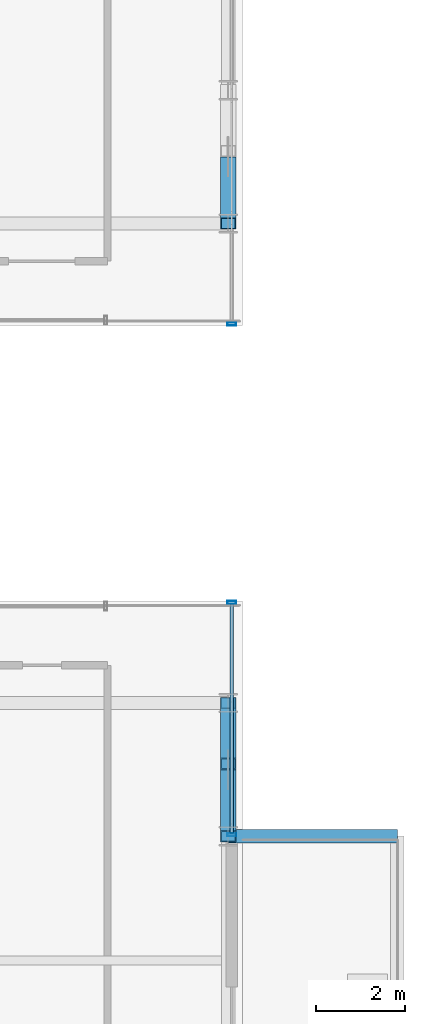
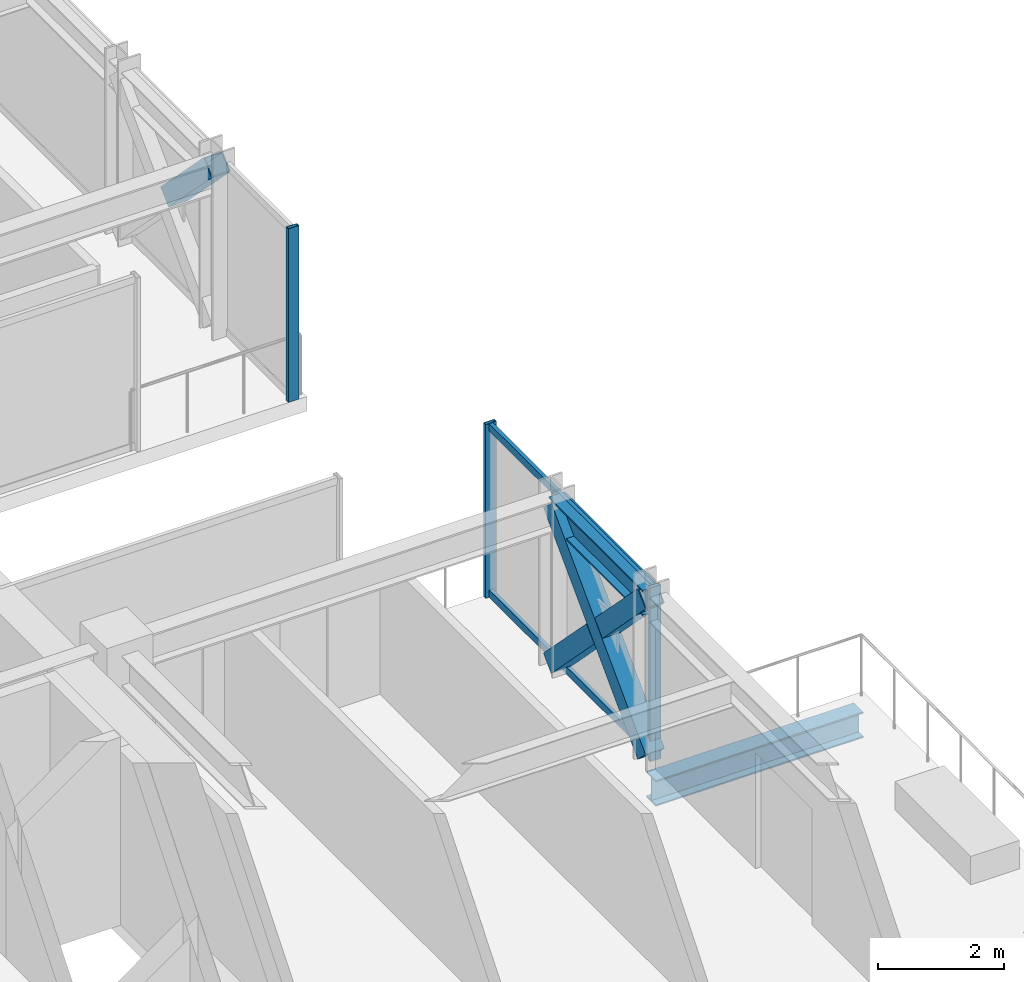
# One storey, part 22 of 41: 9 members, 2 beams, 2 elements without a shape of their own.
"""IFC4 building model written with IfcOpenShell, lengths in metres."""

from ifc_helpers import new_model, si_unit, direction, frame, origin, origin_2d, place, context, subcontext, project, spatial, hollow_rectangle, i_section, extrude, source, transform, mapped, material, material_profile, profile_set, type_object, element, aggregate, save


model = new_model("IFC4")

# Units and contexts
model_context = context("Model", 3, precision=1e-05, world=origin(), true_north=direction((0.0, 1.0)))
body_context = subcontext(model_context, "Body", "Model", "MODEL_VIEW")
ifc_project = project(units=[si_unit("LENGTHUNIT", "METRE"), si_unit("AREAUNIT", "SQUARE_METRE"), si_unit("VOLUMEUNIT", "CUBIC_METRE"), si_unit("PLANEANGLEUNIT", "RADIAN"), si_unit("MASSUNIT", "GRAM", prefix="KILO")], contexts=[model_context])

# Site, building, storey
site_placement = place(None, origin())
site = spatial("IfcSite", under=ifc_project, at=site_placement, CompositionType="ELEMENT")
building_placement = place(site_placement, origin())
building = spatial("IfcBuilding", under=site, at=building_placement, Name="Nahalor Promenade Grand Hotel", CompositionType="ELEMENT")
storey_placement = place(building_placement, frame((0.0, 0.0, 54.300048828125)))
storey = spatial("IfcBuildingStorey", under=building, at=storey_placement, Name="L12", CompositionType="ELEMENT", Elevation=54.300048828125)

# Beams
ifc_material_1 = material(Name="Steel S355JR", Category="steel")
ifc_material_profile_1 = material_profile(ifc_material_1, i_section(OverallWidth=0.3, OverallDepth=0.5, WebThickness=0.0145, FlangeThickness=0.028, at=origin_2d()), Name="HEB 500")
ifc_profile_set_1 = profile_set([ifc_material_profile_1], Name="Steel S355JR")
beam_type_1 = type_object("IfcBeamType", Name="Beam-Outrigger-HEB500", PredefinedType="BEAM", material=ifc_profile_set_1)
shared_shape_1 = source(origin(), body_context, "Body", "SweptSolid", [
    extrude(i_section(OverallWidth=0.3, OverallDepth=0.5, WebThickness=0.0145, FlangeThickness=0.028, at=origin_2d()), origin(), (0.0, 0.0, 1.0), 3.809814453125),
])
beam_1_placement = place(storey_placement, frame((25.080078125, -8.39990234375, -0.530029296875), z_axis=(1.0, 0.0, 0.0), x_axis=(0.0, 1.0, 0.0)))
element("IfcBeam", 1, at=beam_1_placement, inside=storey, type_object=beam_type_1, Name="BM-L12-BC-02-2", PredefinedType="BEAM", context=body_context, shape_type="MappedRepresentation", body=[
    mapped(shared_shape_1, transform((0.0, 0.0, 0.0), scale=1.0)),
])
ifc_material_profile_2 = material_profile(ifc_material_1, i_section(OverallWidth=0.3, OverallDepth=0.5, WebThickness=0.0145, FlangeThickness=0.028, at=origin_2d()), Name="HEB 500")
ifc_profile_set_2 = profile_set([ifc_material_profile_2], Name="Steel S355JR")
beam_type_2 = type_object("IfcBeamType", Name="Beam-Spandrel-HEB500", PredefinedType="SPANDREL", material=ifc_profile_set_2)
shared_shape_2 = source(origin(), body_context, "Body", "SweptSolid", [
    extrude(i_section(OverallWidth=0.3, OverallDepth=0.5, WebThickness=0.0145, FlangeThickness=0.028, at=origin_2d()), origin(), (0.0, 0.0, 1.0), 3.0),
])
beam_2_placement = place(storey_placement, frame((25.080078125, -8.39990234375, 3.119873046875), z_axis=(0.0, 1.0, 0.0), x_axis=(-1.0, 0.0, 0.0)))
element("IfcBeam", 2, at=beam_2_placement, inside=storey, type_object=beam_type_2, Name="BM-L12-SP-E-1", PredefinedType="SPANDREL", context=body_context, shape_type="MappedRepresentation", body=[
    mapped(shared_shape_2, transform((0.0, 0.0, 0.0), scale=1.0)),
])

# Members
ifc_material_profile_3 = material_profile(ifc_material_1, hollow_rectangle(XDim=0.35, YDim=0.35, WallThickness=0.02, at=origin_2d()), Name="SHS 350x350x20")
ifc_profile_set_3 = profile_set([ifc_material_profile_3], Name="Steel S355JR")
member_type_1 = type_object("IfcMemberType", Name="Mem-VoidBrace-SHS350", PredefinedType="BRACE", material=ifc_profile_set_3)
shared_shape_3 = source(origin(), body_context, "Body", "SweptSolid", [
    extrude(hollow_rectangle(XDim=0.35, YDim=0.35, WallThickness=0.02, at=origin_2d()), origin(), (0.0, 0.0, 1.0), 4.29248046875),
])
member_1_placement = place(storey_placement, frame((25.080078125, -8.39990234375, 0.14990234375), z_axis=(0.0, 0.698897904453, 0.715221447631), x_axis=(-1.0, 0.0, 0.0)))
element("IfcMember", 3, at=member_1_placement, inside=storey, type_object=member_type_1, Name="EXO-L12-VX1-E0", PredefinedType="BRACE", context=body_context, shape_type="MappedRepresentation", body=[
    mapped(shared_shape_3, transform((0.0, 0.0, 0.0), scale=1.0)),
])
shared_shape_4 = source(origin(), body_context, "Body", "SweptSolid", [
    extrude(hollow_rectangle(XDim=0.35, YDim=0.35, WallThickness=0.02, at=origin_2d()), origin(), (0.0, 0.0, 1.0), 1.959228515625),
])
for number, where, z_axis, x_axis, name in (
    (4, (25.080078125, -5.39990234375, 0.14990234375), (0.0, -0.698898183234, 0.715221175212), (1.0, 0.0, 0.0), "EXO-L12-VX2-E0A"),
    (5, (25.080078125, 6.769287109375, 1.81884765625), (0.0, -0.698960471031, 0.715160303663), (1.0, 0.0, 0.0), "EXO-L12-VX2-E1B"),
):
    element("IfcMember", number, at=place(storey_placement, frame(where, z_axis=z_axis, x_axis=x_axis)), inside=storey, type_object=member_type_1, Name=name, PredefinedType="BRACE", context=body_context, shape_type="MappedRepresentation", body=[
        mapped(shared_shape_4, transform((0.0, 0.0, 0.0), scale=1.0)),
    ])
shared_shape_5 = source(origin(), body_context, "Body", "SweptSolid", [
    extrude(hollow_rectangle(XDim=0.35, YDim=0.35, WallThickness=0.02, at=origin_2d()), origin(), (0.0, 0.0, 1.0), 1.958984375),
])
member_2_placement = place(storey_placement, frame((25.080078125, -7.03076171875, 1.81884765625), z_axis=(0.0, -0.698896728293, 0.715222596946), x_axis=(1.0, 0.0, 0.0)))
element("IfcMember", 6, at=member_2_placement, inside=storey, type_object=member_type_1, Name="EXO-L12-VX2-E0B", PredefinedType="BRACE", context=body_context, shape_type="MappedRepresentation", body=[
    mapped(shared_shape_5, transform((0.0, 0.0, 0.0), scale=1.0)),
])

# Curtain wall, members
ifc_material_2 = material(Name="Anodised Bronze Aluminium EN AW-6063 T6", Category="aluminium")
curtain_wall_type = type_object("IfcCurtainWallType", Name="CW3 Elliptical-Void Collar Unitised Curtain Wall", PredefinedType="USERDEFINED", material=ifc_material_2)
curtain_wall_1_placement = place(storey_placement, origin())
curtain_wall_1 = element("IfcCurtainWall", 7, at=curtain_wall_1_placement, inside=storey, type_object=curtain_wall_type, Name="L12 Curtain Wall CW-L12-E-3", ObjectType="UNITISED_CURTAIN_WALL", PredefinedType="USERDEFINED")
ifc_material_profile_4 = material_profile(ifc_material_2, hollow_rectangle(XDim=0.07, YDim=0.2, WallThickness=0.005, at=origin_2d()), Name="CWM 70x200x5")
ifc_profile_set_4 = profile_set([ifc_material_profile_4], Name="Anodised Bronze Aluminium EN AW-6063 T6")
member_type_2 = type_object("IfcMemberType", Name="CWM3 Void Collar Mullion 70x200", PredefinedType="MULLION", material=ifc_profile_set_4)
shared_shape_6 = source(origin(), body_context, "Body", "SweptSolid", [
    extrude(hollow_rectangle(XDim=0.07, YDim=0.2, WallThickness=0.005, at=origin_2d()), origin(), (0.0, 0.0, 1.0), 3.369873046875),
])
member_3_placement = place(storey_placement, frame((25.159912109375, -8.364990234375, 0.0), z_axis=(0.0, 0.0, 1.0), x_axis=(0.0, 1.0, 0.0)))
member_3 = element("IfcMember", 8, at=member_3_placement, type_object=member_type_2, Name="CW-L12-E-3 Mullion 0", PredefinedType="MULLION", context=body_context, shape_type="MappedRepresentation", body=[
    mapped(shared_shape_6, transform((0.0, 0.0, 0.0), scale=1.0)),
])
member_4_placement = place(storey_placement, frame((25.159912109375, -3.135009765625, 0.0), z_axis=(0.0, 0.0, 1.0), x_axis=(0.0, 1.0, 0.0)))
member_4 = element("IfcMember", 9, at=member_4_placement, type_object=member_type_2, Name="CW-L12-E-3 Mullion 1", PredefinedType="MULLION", context=body_context, shape_type="MappedRepresentation", body=[
    mapped(shared_shape_6, transform((0.0, 0.0, 0.0), scale=1.0)),
])

# Curtain wall, member
curtain_wall_2_placement = place(storey_placement, origin())
curtain_wall_2 = element("IfcCurtainWall", 10, at=curtain_wall_2_placement, inside=storey, type_object=curtain_wall_type, Name="L12 Curtain Wall CW-L12-E-4", ObjectType="UNITISED_CURTAIN_WALL", PredefinedType="USERDEFINED")
member_5_placement = place(storey_placement, frame((25.159912109375, 3.135009765625, 0.0), z_axis=(0.0, 0.0, 1.0), x_axis=(0.0, 1.0, 0.0)))
member_5 = element("IfcMember", 11, at=member_5_placement, type_object=member_type_2, Name="CW-L12-E-4 Mullion 0", PredefinedType="MULLION", context=body_context, shape_type="MappedRepresentation", body=[
    mapped(shared_shape_6, transform((0.0, 0.0, 0.0), scale=1.0)),
])
aggregate(curtain_wall_2, [member_5])

# Member
ifc_material_profile_5 = material_profile(ifc_material_2, hollow_rectangle(XDim=0.07, YDim=0.14, WallThickness=0.004, at=origin_2d()), Name="CWT 70x140x4")
ifc_profile_set_5 = profile_set([ifc_material_profile_5], Name="Anodised Bronze Aluminium EN AW-6063 T6")
member_type_3 = type_object("IfcMemberType", Name="CWT3 Void Collar Transom 70x140", PredefinedType="USERDEFINED", material=ifc_profile_set_5)
shared_shape_7 = source(origin(), body_context, "Body", "SweptSolid", [
    extrude(hollow_rectangle(XDim=0.07, YDim=0.14, WallThickness=0.004, at=origin_2d()), origin(), (0.0, 0.0, 1.0), 5.16015625),
])
member_6_placement = place(storey_placement, frame((25.159912109375, -8.330078125, 0.070068359375), z_axis=(0.0, 1.0, 0.0), x_axis=(-1.0, 0.0, 0.0)))
member_6 = element("IfcMember", 12, at=member_6_placement, type_object=member_type_3, Name="CW-L12-E-3 Transom 0-0", ObjectType="TRANSOM", PredefinedType="USERDEFINED", context=body_context, shape_type="MappedRepresentation", body=[
    mapped(shared_shape_7, transform((0.0, 0.0, 0.0), scale=1.0)),
])

member_7_placement = place(storey_placement, frame((25.159912109375, -8.330078125, 3.300048828125), z_axis=(0.0, 1.0, 0.0), x_axis=(-1.0, 0.0, 0.0)))
member_7 = element("IfcMember", 13, at=member_7_placement, type_object=member_type_3, Name="CW-L12-E-3 Transom 0-1", ObjectType="TRANSOM", PredefinedType="USERDEFINED", context=body_context, shape_type="MappedRepresentation", body=[
    mapped(shared_shape_7, transform((0.0, 0.0, 0.0), scale=1.0)),
])

aggregate(curtain_wall_1, [member_3, member_4, member_6, member_7])

save(model, "model.ifc")
